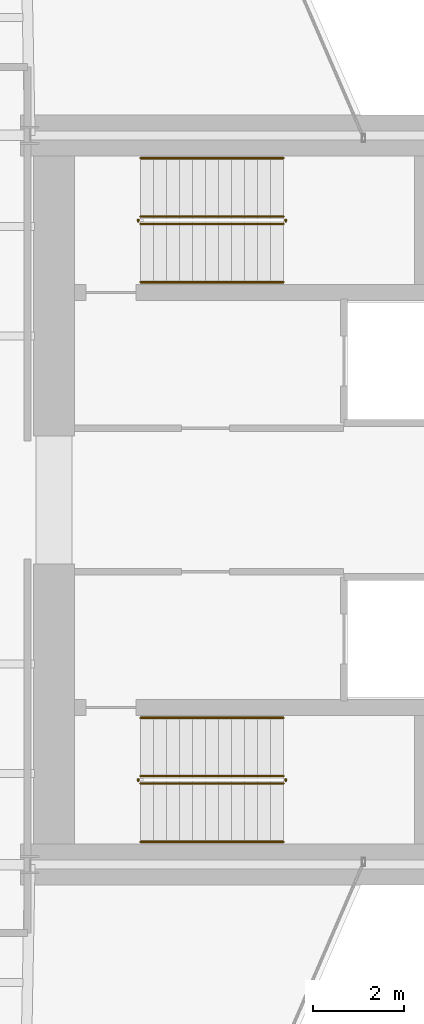
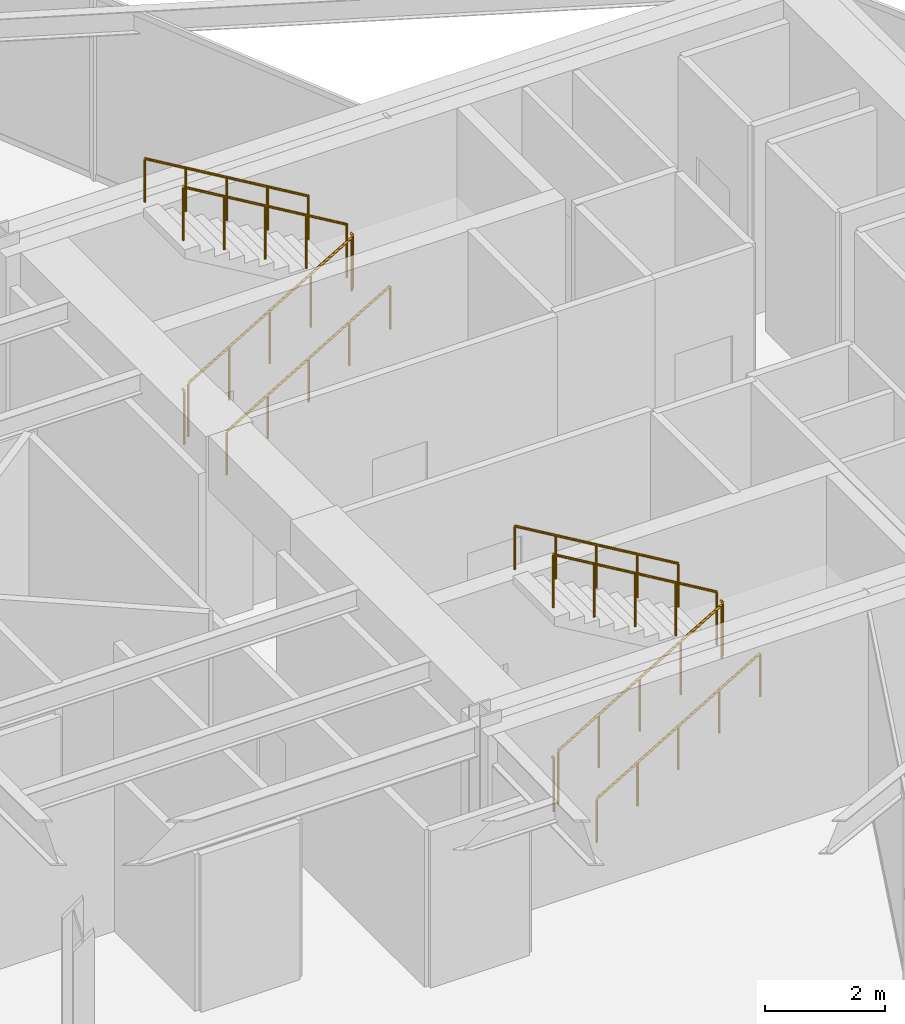
# One storey, part 26 of 26: 12 railings.
"""IFC4 building model written with IfcOpenShell, lengths in metres."""

from ifc_helpers import new_model, si_unit, direction, frame, origin, origin_2d, place, context, subcontext, project, spatial, circle, extrude, material, type_object, element, save


model = new_model("IFC4")

# Units and contexts
model_context = context("Model", 3, precision=1e-05, world=origin(), true_north=direction((0.0, 1.0)))
body_context = subcontext(model_context, "Body", "Model", "MODEL_VIEW")
ifc_project = project(units=[si_unit("LENGTHUNIT", "METRE"), si_unit("AREAUNIT", "SQUARE_METRE"), si_unit("VOLUMEUNIT", "CUBIC_METRE"), si_unit("PLANEANGLEUNIT", "RADIAN"), si_unit("MASSUNIT", "GRAM", prefix="KILO")], contexts=[model_context])

# Site, building, storey
site_placement = place(None, origin())
site = spatial("IfcSite", under=ifc_project, at=site_placement, CompositionType="ELEMENT")
building_placement = place(site_placement, origin())
building = spatial("IfcBuilding", under=site, at=building_placement, Name="Veymaron Broadcast Tower", CompositionType="ELEMENT")
storey_placement = place(building_placement, frame((0.0, 0.0, 90.449951171875)))
storey = spatial("IfcBuildingStorey", under=building, at=storey_placement, Name="L20", CompositionType="ELEMENT", Elevation=90.449951171875)

# Railings
ifc_material_1 = material(Name="Brushed stainless steel AISI 304", Category="steel")
railing_type_1 = type_object("IfcRailingType", Name="RAIL-STAIR-HR", PredefinedType="HANDRAIL", material=ifc_material_1)
railing_1_placement = place(storey_placement, frame((41.429931640625, 28.780029296875, 0.168701171875)))
element("IfcRailing", 1, at=railing_1_placement, inside=storey, type_object=railing_type_1, Name="L20 ST1 stair handrail 1", PredefinedType="HANDRAIL", context=body_context, shape_type="SweptSolid", body=[
    extrude(circle(Radius=0.02392578125, at=origin_2d()), frame((0.0, 0.0, 0.8759765625), z_axis=(0.860452582533, 0.0, 0.509530522356), x_axis=(0.0, 1.0, 0.0)), (0.0, 0.0, 1.0), 3.6435546875),
    extrude(circle(Radius=0.02099609375, at=origin_2d()), origin(), (0.0, 0.0, 1.0), 0.851806640625),
    extrude(circle(Radius=0.02099609375, at=origin_2d()), frame((0.78369140625, 0.0, 0.464111328125)), (0.0, 0.0, 1.0), 0.851806640625),
    extrude(circle(Radius=0.02099609375, at=origin_2d()), frame((1.5673828125, 0.0, 0.92822265625)), (0.0, 0.0, 1.0), 0.851806640625),
    extrude(circle(Radius=0.02099609375, at=origin_2d()), frame((2.351318359375, 0.0, 1.392333984375)), (0.0, 0.0, 1.0), 0.851806640625),
    extrude(circle(Radius=0.02099609375, at=origin_2d()), frame((3.135009765625, 0.0, 1.8564453125)), (0.0, 0.0, 1.0), 0.851806640625),
])
railing_2_placement = place(storey_placement, frame((44.56494140625, 31.5, 2.19384765625)))
element("IfcRailing", 2, at=railing_2_placement, inside=storey, type_object=railing_type_1, Name="L20 ST1 stair handrail 2", PredefinedType="HANDRAIL", context=body_context, shape_type="SweptSolid", body=[
    extrude(circle(Radius=0.02392578125, at=origin_2d()), frame((0.0, 0.0, 0.8759765625), z_axis=(-0.860481960309, 0.0, 0.509480908359), x_axis=(0.0, -1.0, 0.0)), (0.0, 0.0, 1.0), 3.643310546875),
    extrude(circle(Radius=0.02099609375, at=origin_2d()), origin(), (0.0, 0.0, 1.0), 0.851806640625),
    extrude(circle(Radius=0.02099609375, at=origin_2d()), frame((-0.78369140625, 0.0, 0.464111328125)), (0.0, 0.0, 1.0), 0.851806640625),
    extrude(circle(Radius=0.02099609375, at=origin_2d()), frame((-1.5673828125, 0.0, 0.92822265625)), (0.0, 0.0, 1.0), 0.851806640625),
    extrude(circle(Radius=0.02099609375, at=origin_2d()), frame((-2.351318359375, 0.0, 1.39208984375)), (0.0, 0.0, 1.0), 0.851806640625),
    extrude(circle(Radius=0.02099609375, at=origin_2d()), frame((-3.135009765625, 0.0, 1.856201171875)), (0.0, 0.0, 1.0), 0.851806640625),
])
railing_3_placement = place(storey_placement, frame((41.429931640625, 16.5, 0.168701171875)))
element("IfcRailing", 3, at=railing_3_placement, inside=storey, type_object=railing_type_1, Name="L20 ST2 stair handrail 1", PredefinedType="HANDRAIL", context=body_context, shape_type="SweptSolid", body=[
    extrude(circle(Radius=0.02392578125, at=origin_2d()), frame((0.0, 0.0, 0.8759765625), z_axis=(0.860452582533, 0.0, 0.509530522356), x_axis=(0.0, 1.0, 0.0)), (0.0, 0.0, 1.0), 3.6435546875),
    extrude(circle(Radius=0.02099609375, at=origin_2d()), origin(), (0.0, 0.0, 1.0), 0.851806640625),
    extrude(circle(Radius=0.02099609375, at=origin_2d()), frame((0.78369140625, 0.0, 0.464111328125)), (0.0, 0.0, 1.0), 0.851806640625),
    extrude(circle(Radius=0.02099609375, at=origin_2d()), frame((1.5673828125, 0.0, 0.92822265625)), (0.0, 0.0, 1.0), 0.851806640625),
    extrude(circle(Radius=0.02099609375, at=origin_2d()), frame((2.351318359375, 0.0, 1.392333984375)), (0.0, 0.0, 1.0), 0.851806640625),
    extrude(circle(Radius=0.02099609375, at=origin_2d()), frame((3.135009765625, 0.0, 1.8564453125)), (0.0, 0.0, 1.0), 0.851806640625),
])
railing_4_placement = place(storey_placement, frame((44.56494140625, 19.219970703125, 2.19384765625)))
element("IfcRailing", 4, at=railing_4_placement, inside=storey, type_object=railing_type_1, Name="L20 ST2 stair handrail 2", PredefinedType="HANDRAIL", context=body_context, shape_type="SweptSolid", body=[
    extrude(circle(Radius=0.02392578125, at=origin_2d()), frame((0.0, 0.0, 0.8759765625), z_axis=(-0.860481960309, 0.0, 0.509480908359), x_axis=(0.0, -1.0, 0.0)), (0.0, 0.0, 1.0), 3.643310546875),
    extrude(circle(Radius=0.02099609375, at=origin_2d()), origin(), (0.0, 0.0, 1.0), 0.851806640625),
    extrude(circle(Radius=0.02099609375, at=origin_2d()), frame((-0.78369140625, 0.0, 0.464111328125)), (0.0, 0.0, 1.0), 0.851806640625),
    extrude(circle(Radius=0.02099609375, at=origin_2d()), frame((-1.5673828125, 0.0, 0.92822265625)), (0.0, 0.0, 1.0), 0.851806640625),
    extrude(circle(Radius=0.02099609375, at=origin_2d()), frame((-2.351318359375, 0.0, 1.39208984375)), (0.0, 0.0, 1.0), 0.851806640625),
    extrude(circle(Radius=0.02099609375, at=origin_2d()), frame((-3.135009765625, 0.0, 1.856201171875)), (0.0, 0.0, 1.0), 0.851806640625),
])
ifc_material_2 = material(Name="Painted galvanized steel balustrade", Category="steel")
railing_type_2 = type_object("IfcRailingType", Name="RAIL-WELL-GRD", PredefinedType="GUARDRAIL", material=ifc_material_2)
railing_5_placement = place(storey_placement, frame((41.429931640625, 30.06005859375, 0.168701171875)))
element("IfcRailing", 5, at=railing_5_placement, inside=storey, type_object=railing_type_2, Name="L20 ST1 stair guard 1", PredefinedType="GUARDRAIL", context=body_context, shape_type="SweptSolid", body=[
    extrude(circle(Radius=0.02392578125, at=origin_2d()), frame((0.0, 0.0, 1.076171875), z_axis=(0.860452582533, 0.0, 0.509530522356), x_axis=(0.0, 1.0, 0.0)), (0.0, 0.0, 1.0), 3.6435546875),
    extrude(circle(Radius=0.02099609375, at=origin_2d()), origin(), (0.0, 0.0, 1.0), 1.052001953125),
    extrude(circle(Radius=0.02099609375, at=origin_2d()), frame((0.78369140625, 0.0, 0.464111328125)), (0.0, 0.0, 1.0), 1.052001953125),
    extrude(circle(Radius=0.02099609375, at=origin_2d()), frame((1.5673828125, 0.0, 0.92822265625)), (0.0, 0.0, 1.0), 1.052001953125),
    extrude(circle(Radius=0.02099609375, at=origin_2d()), frame((2.351318359375, 0.0, 1.392333984375)), (0.0, 0.0, 1.0), 1.052001953125),
    extrude(circle(Radius=0.02099609375, at=origin_2d()), frame((3.135009765625, 0.0, 1.8564453125)), (0.0, 0.0, 1.0), 1.052001953125),
])
railing_6_placement = place(storey_placement, frame((44.614990234375, 30.110107421875, 2.025146484375)))
element("IfcRailing", 6, at=railing_6_placement, inside=storey, type_object=railing_type_2, Name="L20 ST1 stair guard 2", PredefinedType="GUARDRAIL", context=body_context, shape_type="SweptSolid", body=[
    extrude(circle(Radius=0.02392578125, at=origin_2d()), frame((0.0, 0.0, 1.076171875), z_axis=(0.0, 1.0, 0.0), x_axis=(-1.0, 0.0, 0.0)), (0.0, 0.0, 1.0), 0.059814453125),
    extrude(circle(Radius=0.02099609375, at=origin_2d()), origin(), (0.0, 0.0, 1.0), 1.052001953125),
])
railing_7_placement = place(storey_placement, frame((44.56494140625, 30.219970703125, 2.19384765625)))
element("IfcRailing", 7, at=railing_7_placement, inside=storey, type_object=railing_type_2, Name="L20 ST1 stair guard 3", PredefinedType="GUARDRAIL", context=body_context, shape_type="SweptSolid", body=[
    extrude(circle(Radius=0.02392578125, at=origin_2d()), frame((0.0, 0.0, 1.076171875), z_axis=(-0.860481960309, 0.0, 0.509480908359), x_axis=(0.0, -1.0, 0.0)), (0.0, 0.0, 1.0), 3.643310546875),
    extrude(circle(Radius=0.02099609375, at=origin_2d()), origin(), (0.0, 0.0, 1.0), 1.052001953125),
    extrude(circle(Radius=0.02099609375, at=origin_2d()), frame((-0.78369140625, 0.0, 0.464111328125)), (0.0, 0.0, 1.0), 1.052001953125),
    extrude(circle(Radius=0.02099609375, at=origin_2d()), frame((-1.5673828125, 0.0, 0.92822265625)), (0.0, 0.0, 1.0), 1.052001953125),
    extrude(circle(Radius=0.02099609375, at=origin_2d()), frame((-2.351318359375, 0.0, 1.39208984375)), (0.0, 0.0, 1.0), 1.052001953125),
    extrude(circle(Radius=0.02099609375, at=origin_2d()), frame((-3.135009765625, 0.0, 1.856201171875)), (0.0, 0.0, 1.0), 1.052001953125),
])
railing_8_placement = place(storey_placement, frame((41.3798828125, 30.110107421875, 0.0)))
element("IfcRailing", 8, at=railing_8_placement, inside=storey, type_object=railing_type_2, Name="L20 ST1 stair guard 4", PredefinedType="GUARDRAIL", context=body_context, shape_type="SweptSolid", body=[
    extrude(circle(Radius=0.02392578125, at=origin_2d()), frame((0.0, 0.0, 1.076171875), z_axis=(0.0, 1.0, 0.0), x_axis=(-1.0, 0.0, 0.0)), (0.0, 0.0, 1.0), 0.059814453125),
    extrude(circle(Radius=0.02099609375, at=origin_2d()), origin(), (0.0, 0.0, 1.0), 1.052001953125),
])
railing_9_placement = place(storey_placement, frame((41.429931640625, 17.780029296875, 0.168701171875)))
element("IfcRailing", 9, at=railing_9_placement, inside=storey, type_object=railing_type_2, Name="L20 ST2 stair guard 1", PredefinedType="GUARDRAIL", context=body_context, shape_type="SweptSolid", body=[
    extrude(circle(Radius=0.02392578125, at=origin_2d()), frame((0.0, 0.0, 1.076171875), z_axis=(0.860452582533, 0.0, 0.509530522356), x_axis=(0.0, 1.0, 0.0)), (0.0, 0.0, 1.0), 3.6435546875),
    extrude(circle(Radius=0.02099609375, at=origin_2d()), origin(), (0.0, 0.0, 1.0), 1.052001953125),
    extrude(circle(Radius=0.02099609375, at=origin_2d()), frame((0.78369140625, 0.0, 0.464111328125)), (0.0, 0.0, 1.0), 1.052001953125),
    extrude(circle(Radius=0.02099609375, at=origin_2d()), frame((1.5673828125, 0.0, 0.92822265625)), (0.0, 0.0, 1.0), 1.052001953125),
    extrude(circle(Radius=0.02099609375, at=origin_2d()), frame((2.351318359375, 0.0, 1.392333984375)), (0.0, 0.0, 1.0), 1.052001953125),
    extrude(circle(Radius=0.02099609375, at=origin_2d()), frame((3.135009765625, 0.0, 1.8564453125)), (0.0, 0.0, 1.0), 1.052001953125),
])
railing_10_placement = place(storey_placement, frame((44.614990234375, 17.830078125, 2.025146484375)))
element("IfcRailing", 10, at=railing_10_placement, inside=storey, type_object=railing_type_2, Name="L20 ST2 stair guard 2", PredefinedType="GUARDRAIL", context=body_context, shape_type="SweptSolid", body=[
    extrude(circle(Radius=0.02392578125, at=origin_2d()), frame((0.0, 0.0, 1.076171875), z_axis=(0.0, 1.0, 0.0), x_axis=(-1.0, 0.0, 0.0)), (0.0, 0.0, 1.0), 0.059814453125),
    extrude(circle(Radius=0.02099609375, at=origin_2d()), origin(), (0.0, 0.0, 1.0), 1.052001953125),
])
railing_11_placement = place(storey_placement, frame((44.56494140625, 17.93994140625, 2.19384765625)))
element("IfcRailing", 11, at=railing_11_placement, inside=storey, type_object=railing_type_2, Name="L20 ST2 stair guard 3", PredefinedType="GUARDRAIL", context=body_context, shape_type="SweptSolid", body=[
    extrude(circle(Radius=0.02392578125, at=origin_2d()), frame((0.0, 0.0, 1.076171875), z_axis=(-0.860481960309, 0.0, 0.509480908359), x_axis=(0.0, -1.0, 0.0)), (0.0, 0.0, 1.0), 3.643310546875),
    extrude(circle(Radius=0.02099609375, at=origin_2d()), origin(), (0.0, 0.0, 1.0), 1.052001953125),
    extrude(circle(Radius=0.02099609375, at=origin_2d()), frame((-0.78369140625, 0.0, 0.464111328125)), (0.0, 0.0, 1.0), 1.052001953125),
    extrude(circle(Radius=0.02099609375, at=origin_2d()), frame((-1.5673828125, 0.0, 0.92822265625)), (0.0, 0.0, 1.0), 1.052001953125),
    extrude(circle(Radius=0.02099609375, at=origin_2d()), frame((-2.351318359375, 0.0, 1.39208984375)), (0.0, 0.0, 1.0), 1.052001953125),
    extrude(circle(Radius=0.02099609375, at=origin_2d()), frame((-3.135009765625, 0.0, 1.856201171875)), (0.0, 0.0, 1.0), 1.052001953125),
])
railing_12_placement = place(storey_placement, frame((41.3798828125, 17.830078125, 0.0)))
element("IfcRailing", 12, at=railing_12_placement, inside=storey, type_object=railing_type_2, Name="L20 ST2 stair guard 4", PredefinedType="GUARDRAIL", context=body_context, shape_type="SweptSolid", body=[
    extrude(circle(Radius=0.02392578125, at=origin_2d()), frame((0.0, 0.0, 1.076171875), z_axis=(0.0, 1.0, 0.0), x_axis=(-1.0, 0.0, 0.0)), (0.0, 0.0, 1.0), 0.059814453125),
    extrude(circle(Radius=0.02099609375, at=origin_2d()), origin(), (0.0, 0.0, 1.0), 1.052001953125),
])

save(model, "model.ifc")
